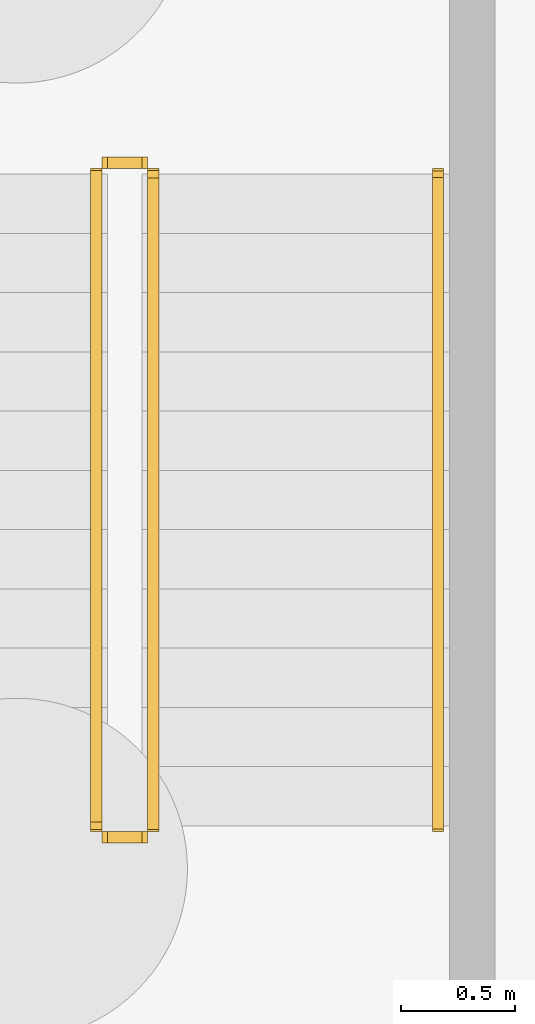
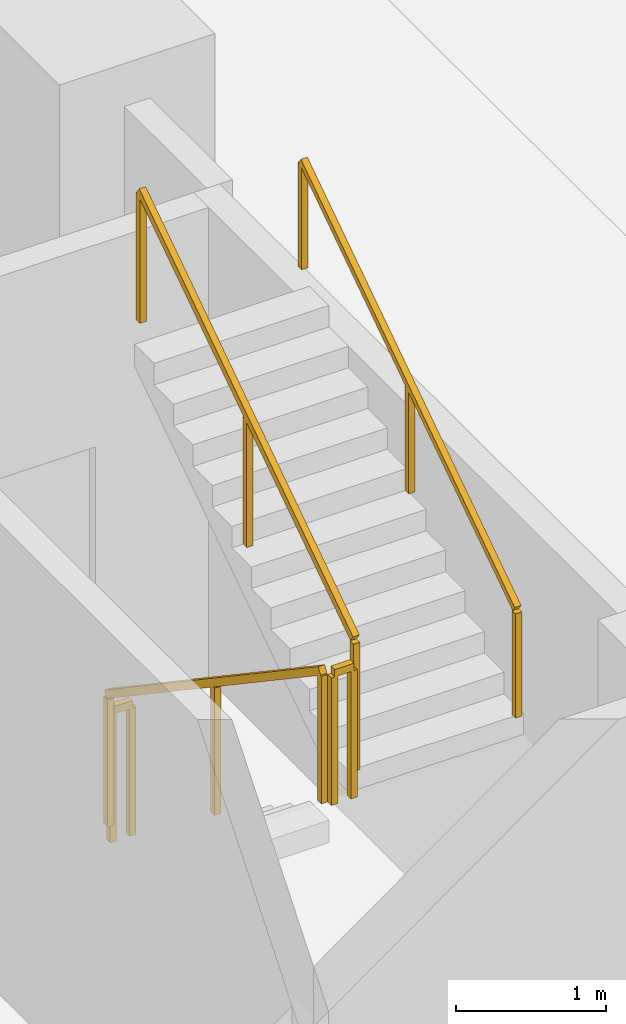
# One storey, part 16 of 19: 5 railings.
"""IFC4 building model written with IfcOpenShell, lengths in metres."""

from ifc_helpers import new_model, si_unit, direction, frame, origin, origin_2d, place, context, subcontext, project, spatial, rectangle, extrude, material, type_object, element, save


model = new_model("IFC4")

# Units and contexts
model_context = context("Model", 3, precision=1e-05, world=origin(), true_north=direction((0.0, 1.0)))
body_context = subcontext(model_context, "Body", "Model", "MODEL_VIEW")
ifc_project = project(units=[si_unit("LENGTHUNIT", "METRE"), si_unit("AREAUNIT", "SQUARE_METRE"), si_unit("VOLUMEUNIT", "CUBIC_METRE"), si_unit("PLANEANGLEUNIT", "RADIAN"), si_unit("MASSUNIT", "GRAM", prefix="KILO")], contexts=[model_context])

# Site, building, storey
site_placement = place(None, origin())
site = spatial("IfcSite", under=ifc_project, at=site_placement, CompositionType="ELEMENT")
building_placement = place(site_placement, origin())
building = spatial("IfcBuilding", under=site, at=building_placement, Name="Khepri Terraces", CompositionType="ELEMENT")
storey_placement = place(building_placement, frame((0.0, 0.0, -8.39990234375)))
storey = spatial("IfcBuildingStorey", under=building, at=storey_placement, Name="B2", CompositionType="ELEMENT", Elevation=-8.39990234375)

# Railings
ifc_material = material(Name="Stainless steel 316", Category="steel")
railing_type_1 = type_object("IfcRailingType", Name="RL-POD-GUARD", PredefinedType="GUARDRAIL", material=ifc_material)
railing_1_placement = place(storey_placement, frame((23.449951171875, -20.050048828125, 0.1748046875)))
element("IfcRailing", 1, at=railing_1_placement, inside=storey, type_object=railing_type_1, Name="B2 PS-3 stair guard 1", PredefinedType="GUARDRAIL", context=body_context, shape_type="SweptSolid", body=[
    extrude(rectangle(XDim=0.050048828125, YDim=0.06005859375, at=origin_2d()), frame((0.0, 0.0, 1.070068359375), z_axis=(0.0, -0.829568821333, 0.558404486615), x_axis=(1.0, 0.0, 0.0)), (0.0, 0.0, 1.0), 3.447509765625),
    extrude(rectangle(XDim=0.050048828125, YDim=0.050048828125, at=origin_2d()), origin(), (0.0, 0.0, 1.0), 1.0400390625),
    extrude(rectangle(XDim=0.050048828125, YDim=0.050048828125, at=origin_2d()), frame((0.0, -1.429931640625, 0.96240234375)), (0.0, 0.0, 1.0), 1.0400390625),
    extrude(rectangle(XDim=0.050048828125, YDim=0.050048828125, at=origin_2d()), frame((0.0, -2.85986328125, 1.925048828125)), (0.0, 0.0, 1.0), 1.0400390625),
])
railing_2_placement = place(storey_placement, frame((23.5, -22.9599609375, 2.099853515625)))
element("IfcRailing", 2, at=railing_2_placement, inside=storey, type_object=railing_type_1, Name="B2 PS-3 stair guard 2", PredefinedType="GUARDRAIL", context=body_context, shape_type="SweptSolid", body=[
    extrude(rectangle(XDim=0.050048828125, YDim=0.06005859375, at=origin_2d()), frame((0.0, 0.0, 1.070068359375), z_axis=(1.0, 0.0, 0.0), x_axis=(0.0, 1.0, 0.0)), (0.0, 0.0, 1.0), 0.14990234375),
    extrude(rectangle(XDim=0.050048828125, YDim=0.050048828125, at=origin_2d()), origin(), (0.0, 0.0, 1.0), 1.0400390625),
    extrude(rectangle(XDim=0.050048828125, YDim=0.050048828125, at=origin_2d()), frame((0.14990234375, 0.0, 0.0)), (0.0, 0.0, 1.0), 1.0400390625),
])
railing_3_placement = place(storey_placement, frame((23.699951171875, -22.909912109375, 2.27490234375)))
element("IfcRailing", 3, at=railing_3_placement, inside=storey, type_object=railing_type_1, Name="B2 PS-3 stair guard 3", PredefinedType="GUARDRAIL", context=body_context, shape_type="SweptSolid", body=[
    extrude(rectangle(XDim=0.050048828125, YDim=0.06005859375, at=origin_2d()), frame((0.0, 0.0, 1.070068359375), z_axis=(0.0, 0.829568821333, 0.558404486615), x_axis=(-1.0, 0.0, 0.0)), (0.0, 0.0, 1.0), 3.447509765625),
    extrude(rectangle(XDim=0.050048828125, YDim=0.050048828125, at=origin_2d()), origin(), (0.0, 0.0, 1.0), 1.0400390625),
    extrude(rectangle(XDim=0.050048828125, YDim=0.050048828125, at=origin_2d()), frame((0.0, 1.429931640625, 0.96240234375)), (0.0, 0.0, 1.0), 1.0400390625),
    extrude(rectangle(XDim=0.050048828125, YDim=0.050048828125, at=origin_2d()), frame((0.0, 2.85986328125, 1.925048828125)), (0.0, 0.0, 1.0), 1.0400390625),
])
railing_4_placement = place(storey_placement, frame((23.5, -20.0, 0.0)))
element("IfcRailing", 4, at=railing_4_placement, inside=storey, type_object=railing_type_1, Name="B2 PS-3 stair guard 4", PredefinedType="GUARDRAIL", context=body_context, shape_type="SweptSolid", body=[
    extrude(rectangle(XDim=0.050048828125, YDim=0.06005859375, at=origin_2d()), frame((0.0, 0.0, 1.070068359375), z_axis=(1.0, 0.0, 0.0), x_axis=(0.0, 1.0, 0.0)), (0.0, 0.0, 1.0), 0.14990234375),
    extrude(rectangle(XDim=0.050048828125, YDim=0.050048828125, at=origin_2d()), origin(), (0.0, 0.0, 1.0), 1.0400390625),
    extrude(rectangle(XDim=0.050048828125, YDim=0.050048828125, at=origin_2d()), frame((0.14990234375, 0.0, 0.0)), (0.0, 0.0, 1.0), 1.0400390625),
])
railing_type_2 = type_object("IfcRailingType", Name="RL-POD-HANDRAIL", PredefinedType="HANDRAIL", material=ifc_material)
railing_5_placement = place(storey_placement, frame((24.949951171875, -22.909912109375, 2.27490234375)))
element("IfcRailing", 5, at=railing_5_placement, inside=storey, type_object=railing_type_2, Name="B2 PS-3 stair handrail 2", PredefinedType="HANDRAIL", context=body_context, shape_type="SweptSolid", body=[
    extrude(rectangle(XDim=0.050048828125, YDim=0.050048828125, at=origin_2d()), frame((0.0, 0.0, 0.875), z_axis=(0.0, 0.829568821333, 0.558404486615), x_axis=(-1.0, 0.0, 0.0)), (0.0, 0.0, 1.0), 3.447509765625),
    extrude(rectangle(XDim=0.050048828125, YDim=0.050048828125, at=origin_2d()), origin(), (0.0, 0.0, 1.0), 0.849853515625),
    extrude(rectangle(XDim=0.050048828125, YDim=0.050048828125, at=origin_2d()), frame((0.0, 1.429931640625, 0.96240234375)), (0.0, 0.0, 1.0), 0.849853515625),
    extrude(rectangle(XDim=0.050048828125, YDim=0.050048828125, at=origin_2d()), frame((0.0, 2.85986328125, 1.925048828125)), (0.0, 0.0, 1.0), 0.849853515625),
])

save(model, "model.ifc")
